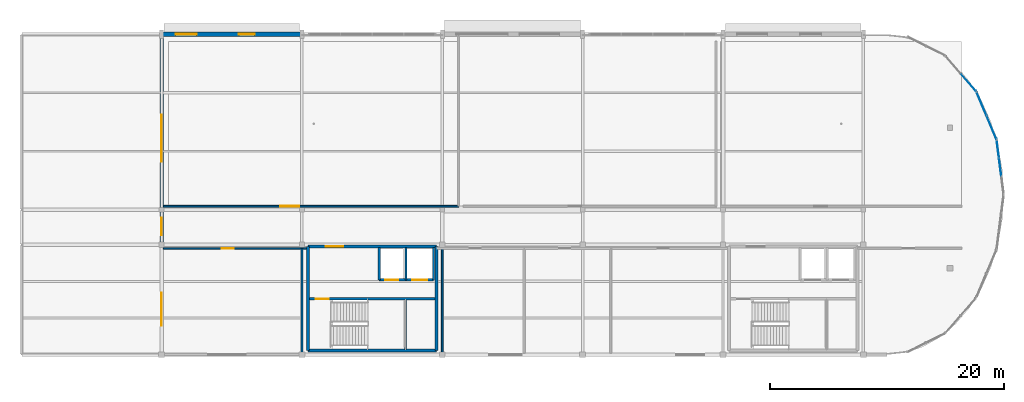
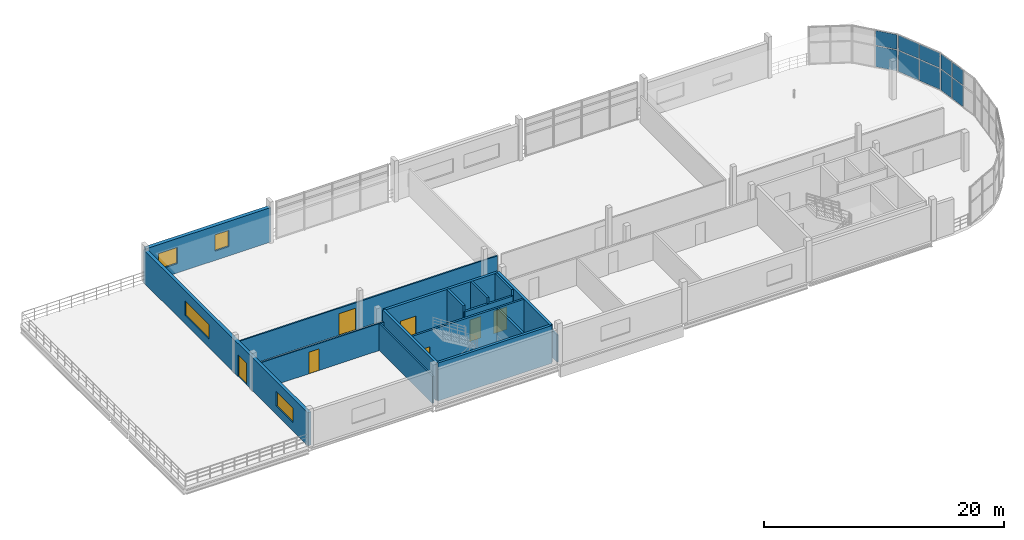
# One storey, part 7 of 13: 16 walls, 10 plates, 7 doors, 4 windows, 11 openings, 3 elements without a shape of their own.
"""IFC4 building model written with IfcOpenShell, lengths in metres."""

from ifc_helpers import new_model, si_unit, direction, frame, frame_2d, origin, origin_2d, place, context, subcontext, project, spatial, rectangle, extrude, material, layer, layer_set, type_object, element, fill, aggregate, save


model = new_model("IFC4")

# Units and contexts
model_context = context("Model", 3, precision=1e-05, world=origin(), true_north=direction((0.0, 1.0)))
body_context = subcontext(model_context, "Body", "Model", "MODEL_VIEW")
ifc_project = project(units=[si_unit("LENGTHUNIT", "METRE"), si_unit("AREAUNIT", "SQUARE_METRE"), si_unit("VOLUMEUNIT", "CUBIC_METRE"), si_unit("PLANEANGLEUNIT", "RADIAN"), si_unit("MASSUNIT", "GRAM", prefix="KILO"), si_unit("THERMODYNAMICTEMPERATUREUNIT", "KELVIN"), si_unit("POWERUNIT", "WATT")], contexts=[model_context])

# Site, building, storey
site_placement = place(None, origin())
site = spatial("IfcSite", under=ifc_project, at=site_placement, CompositionType="ELEMENT")
building_placement = place(site_placement, origin())
building = spatial("IfcBuilding", under=site, at=building_placement, Name="Solmara Park Aquatics Centre", CompositionType="ELEMENT")
storey_placement = place(building_placement, frame((0.0, 0.0, 14.39990234375)))
storey = spatial("IfcBuildingStorey", under=building, at=storey_placement, Name="L03", CompositionType="ELEMENT", Elevation=14.39990234375)

# Curtain wall, plates
ifc_material_1 = material(Name="Anodised Aluminium Curtain Wall Framing", Category="aluminium")
curtain_wall_type = type_object("IfcCurtainWallType", Name="ARC-CW-SYS06", PredefinedType="USERDEFINED", material=ifc_material_1)
curtain_wall_1_placement = place(storey_placement, origin())
curtain_wall_1 = element("IfcCurtainWall", 1, at=curtain_wall_1_placement, inside=storey, type_object=curtain_wall_type, Name="Curtain Wall CW-150", ObjectType="CURTAIN WALL", PredefinedType="USERDEFINED")
ifc_material_2 = material(Name="Acoustic Laminated Glazing", Category="glass")
ifc_layer_1 = layer(ifc_material_2, 0.028076171875, Name="Acoustic Laminated Glazing")
ifc_layer_set_1 = layer_set([ifc_layer_1], Name="Acoustic Laminated Glazing")
plate_type_1 = type_object("IfcPlateType", Name="ARC-CWP-GLZ28-1460x1500", PredefinedType="CURTAIN_PANEL", material=ifc_layer_set_1)
plate_1_placement = place(storey_placement, frame((108.301025390625, 124.623046875, 2.27880859375), z_axis=(0.0, 0.0, 1.0), x_axis=(-0.127658381355, 0.991818197892, 0.0)))
plate_1 = element("IfcPlate", 2, at=plate_1_placement, type_object=plate_type_1, Name="CW-150 panel 4", PredefinedType="CURTAIN_PANEL", context=body_context, shape_type="SweptSolid", body=[
    extrude(rectangle(XDim=1.468017578125, YDim=0.028076171875, at=origin_2d()), origin(), (0.0, 0.0, 1.0), 1.501220703125),
])
plate_2_placement = place(storey_placement, frame((108.103515625, 126.158447265625, 2.27880859375), z_axis=(0.0, 0.0, 1.0), x_axis=(-0.127658381355, 0.991818197892, 0.0)))
plate_2 = element("IfcPlate", 3, at=plate_2_placement, type_object=plate_type_1, Name="CW-150 panel 6", PredefinedType="CURTAIN_PANEL", context=body_context, shape_type="SweptSolid", body=[
    extrude(rectangle(XDim=1.468017578125, YDim=0.028076171875, at=origin_2d()), origin(), (0.0, 0.0, 1.0), 1.501220703125),
])
ifc_layer_2 = layer(ifc_material_2, 0.028076171875, Name="Acoustic Laminated Glazing")
ifc_layer_set_2 = layer_set([ifc_layer_2], Name="Acoustic Laminated Glazing")
plate_type_2 = type_object("IfcPlateType", Name="ARC-CWP-GLZ28-1460x2120", PredefinedType="CURTAIN_PANEL", material=ifc_layer_set_2)
plate_3_placement = place(storey_placement, frame((108.301025390625, 124.623046875, 0.080078125), z_axis=(0.0, 0.0, 1.0), x_axis=(-0.127658381355, 0.991818197892, 0.0)))
plate_3 = element("IfcPlate", 4, at=plate_3_placement, type_object=plate_type_2, Name="CW-150 panel 3", PredefinedType="CURTAIN_PANEL", context=body_context, shape_type="SweptSolid", body=[
    extrude(rectangle(XDim=1.468017578125, YDim=0.028076171875, at=origin_2d()), origin(), (0.0, 0.0, 1.0), 2.118896484375),
])
plate_4_placement = place(storey_placement, frame((108.103515625, 126.158447265625, 0.080078125), z_axis=(0.0, 0.0, 1.0), x_axis=(-0.127658381355, 0.991818197892, 0.0)))
plate_4 = element("IfcPlate", 5, at=plate_4_placement, type_object=plate_type_2, Name="CW-150 panel 5", PredefinedType="CURTAIN_PANEL", context=body_context, shape_type="SweptSolid", body=[
    extrude(rectangle(XDim=1.468017578125, YDim=0.028076171875, at=origin_2d()), origin(), (0.0, 0.0, 1.0), 2.118896484375),
])
aggregate(curtain_wall_1, [plate_3, plate_1, plate_4, plate_2])

curtain_wall_2_placement = place(storey_placement, origin())
curtain_wall_2 = element("IfcCurtainWall", 6, at=curtain_wall_2_placement, inside=storey, type_object=curtain_wall_type, Name="Curtain Wall CW-152", ObjectType="CURTAIN WALL", PredefinedType="USERDEFINED")
ifc_layer_3 = layer(ifc_material_2, 0.028076171875, Name="Acoustic Laminated Glazing")
ifc_layer_set_3 = layer_set([ifc_layer_3], Name="Acoustic Laminated Glazing")
plate_type_3 = type_object("IfcPlateType", Name="ARC-CWP-GLZ28-1900x1500", PredefinedType="CURTAIN_PANEL", material=ifc_layer_set_3)
plate_5_placement = place(storey_placement, frame((105.59521484375, 131.870849609375, 2.27880859375), z_axis=(0.0, 0.0, 1.0), x_axis=(-0.656319798719, 0.754482817438, 0.0)))
plate_5 = element("IfcPlate", 7, at=plate_5_placement, type_object=plate_type_3, Name="CW-152 panel 2", PredefinedType="CURTAIN_PANEL", context=body_context, shape_type="SweptSolid", body=[
    extrude(rectangle(XDim=1.90673828125, YDim=0.028076171875, at=origin_2d()), origin(), (0.0, 0.0, 1.0), 1.501220703125),
])
ifc_layer_4 = layer(ifc_material_2, 0.028076171875, Name="Acoustic Laminated Glazing")
ifc_layer_set_4 = layer_set([ifc_layer_4], Name="Acoustic Laminated Glazing")
plate_type_4 = type_object("IfcPlateType", Name="ARC-CWP-GLZ28-1900x2120", PredefinedType="CURTAIN_PANEL", material=ifc_layer_set_4)
plate_6_placement = place(storey_placement, frame((105.59521484375, 131.870849609375, 0.080078125), z_axis=(0.0, 0.0, 1.0), x_axis=(-0.656319798719, 0.754482817438, 0.0)))
plate_6 = element("IfcPlate", 8, at=plate_6_placement, type_object=plate_type_4, Name="CW-152 panel 1", PredefinedType="CURTAIN_PANEL", context=body_context, shape_type="SweptSolid", body=[
    extrude(rectangle(XDim=1.90673828125, YDim=0.028076171875, at=origin_2d()), origin(), (0.0, 0.0, 1.0), 2.118896484375),
])
aggregate(curtain_wall_2, [plate_6, plate_5])

curtain_wall_3_placement = place(storey_placement, origin())
curtain_wall_3 = element("IfcCurtainWall", 9, at=curtain_wall_3_placement, inside=storey, type_object=curtain_wall_type, Name="Curtain Wall CW-151", ObjectType="CURTAIN WALL", PredefinedType="USERDEFINED")
ifc_layer_5 = layer(ifc_material_2, 0.028076171875, Name="Acoustic Laminated Glazing")
ifc_layer_set_5 = layer_set([ifc_layer_5], Name="Acoustic Laminated Glazing")
plate_type_5 = type_object("IfcPlateType", Name="ARC-CWP-GLZ28-2120x1500", PredefinedType="CURTAIN_PANEL", material=ifc_layer_set_5)
plate_7_placement = place(storey_placement, frame((107.562744140625, 128.015869140625, 2.27880859375), z_axis=(0.0, 0.0, 1.0), x_axis=(-0.388352083199, 0.921511073984, 0.0)))
plate_7 = element("IfcPlate", 10, at=plate_7_placement, type_object=plate_type_5, Name="CW-151 panel 2", PredefinedType="CURTAIN_PANEL", context=body_context, shape_type="SweptSolid", body=[
    extrude(rectangle(XDim=2.11572265625, YDim=0.028076171875, at=origin_2d()), origin(), (0.0, 0.0, 1.0), 1.501220703125),
])
plate_8_placement = place(storey_placement, frame((106.7099609375, 130.039306640625, 2.27880859375), z_axis=(0.0, 0.0, 1.0), x_axis=(-0.388352083199, 0.921511073984, 0.0)))
plate_8 = element("IfcPlate", 11, at=plate_8_placement, type_object=plate_type_5, Name="CW-151 panel 4", PredefinedType="CURTAIN_PANEL", context=body_context, shape_type="SweptSolid", body=[
    extrude(rectangle(XDim=2.11572265625, YDim=0.028076171875, at=origin_2d()), origin(), (0.0, 0.0, 1.0), 1.501220703125),
])
ifc_layer_6 = layer(ifc_material_2, 0.028076171875, Name="Acoustic Laminated Glazing")
ifc_layer_set_6 = layer_set([ifc_layer_6], Name="Acoustic Laminated Glazing")
plate_type_6 = type_object("IfcPlateType", Name="ARC-CWP-GLZ28-2120x2120", PredefinedType="CURTAIN_PANEL", material=ifc_layer_set_6)
plate_9_placement = place(storey_placement, frame((107.562744140625, 128.015869140625, 0.080078125), z_axis=(0.0, 0.0, 1.0), x_axis=(-0.388352083199, 0.921511073984, 0.0)))
plate_9 = element("IfcPlate", 12, at=plate_9_placement, type_object=plate_type_6, Name="CW-151 panel 1", PredefinedType="CURTAIN_PANEL", context=body_context, shape_type="SweptSolid", body=[
    extrude(rectangle(XDim=2.11572265625, YDim=0.028076171875, at=origin_2d()), origin(), (0.0, 0.0, 1.0), 2.118896484375),
])
plate_10_placement = place(storey_placement, frame((106.7099609375, 130.039306640625, 0.080078125), z_axis=(0.0, 0.0, 1.0), x_axis=(-0.388352083199, 0.921511073984, 0.0)))
plate_10 = element("IfcPlate", 13, at=plate_10_placement, type_object=plate_type_6, Name="CW-151 panel 3", PredefinedType="CURTAIN_PANEL", context=body_context, shape_type="SweptSolid", body=[
    extrude(rectangle(XDim=2.11572265625, YDim=0.028076171875, at=origin_2d()), origin(), (0.0, 0.0, 1.0), 2.118896484375),
])
aggregate(curtain_wall_3, [plate_9, plate_7, plate_10, plate_8])

# Wall, opening, door
ifc_material_3 = material(Name="Double-Stud Acoustic Gypsum Partition", Category="gypsum")
ifc_layer_7 = layer(ifc_material_3, 0.139892578125, Name="Double-Stud Acoustic Gypsum Partition")
ifc_layer_set_7 = layer_set([ifc_layer_7], Name="Double-Stud Acoustic Gypsum Partition")
wall_type_1 = type_object("IfcWallType", Name="ARC-WL-ACU140", PredefinedType="PARTITIONING", material=ifc_layer_set_7)
wall_1_placement = place(storey_placement, frame((36.75, 121.300048828125, 0.0), z_axis=(0.0, 0.0, 1.0), x_axis=(1.0, 0.0, 0.0)))
wall_1 = element("IfcWall", 14, at=wall_1_placement, inside=storey, type_object=wall_type_1, Name="Interior Partition IW-L03-0127 (L03-SEM-01)", PredefinedType="PARTITIONING", context=body_context, shape_type="SweptSolid", body=[
    extrude(rectangle(XDim=25.25, YDim=0.139892578125, at=frame_2d((12.625, 0.0))), origin(), (0.0, 0.0, 1.0), 2.75),
])
opening_1_placement = place(wall_1_placement, frame((10.0, 0.0, 0.0)))
opening_1 = element("IfcOpeningElement", 15, at=opening_1_placement, cuts=wall_1, Name="Opening D-19", PredefinedType="OPENING", context=body_context, shape_type="SweptSolid", body=[
    extrude(rectangle(XDim=1.60009765625, YDim=2.199951171875, at=frame_2d((0.800048828125, 1.10009765625))), frame((0.0, 0.079833984375, 0.0), z_axis=(0.0, -1.0, 0.0), x_axis=(1.0, 0.0, 0.0)), (0.0, 0.0, 1.0), 0.159912109375),
])
ifc_material_4 = material(Name="Moisture-Resistant HPL & Hardwood", Category="wood")
door_type_1 = type_object("IfcDoorType", Name="ARC-DR-DBL160x220", OperationType="DOUBLE_DOOR_SINGLE_SWING", PredefinedType="DOOR", material=ifc_material_4)
door_1_placement = place(opening_1_placement, origin())
door_1 = element("IfcDoor", 16, at=door_1_placement, inside=storey, type_object=door_type_1, Name="International Coaching Symposium Lecture Room Door", OperationType="DOUBLE_DOOR_SINGLE_SWING", OverallHeight=2.199951171875, OverallWidth=1.60009765625, PredefinedType="DOOR", context=body_context, shape_type="SweptSolid", body=[
    extrude(rectangle(XDim=1.60009765625, YDim=2.199951171875, at=frame_2d((0.800048828125, 1.10009765625))), frame((0.0, 0.02490234375, 0.0), z_axis=(0.0, -1.0, 0.0), x_axis=(1.0, 0.0, 0.0)), (0.0, 0.0, 1.0), 0.050048828125),
])
fill(opening_1, door_1)

# Wall
wall_2_placement = place(storey_placement, frame((48.60009765625, 108.75, 0.0), z_axis=(0.0, 0.0, 1.0), x_axis=(0.0, 1.0, 0.0)))
element("IfcWall", 17, at=wall_2_placement, inside=storey, type_object=wall_type_1, Name="Interior Partition IW-L03-0132 (L03-ARC-01)", PredefinedType="PARTITIONING", context=body_context, shape_type="SweptSolid", body=[
    extrude(rectangle(XDim=8.949951171875, YDim=0.139892578125, at=frame_2d((4.47509765625, 0.0))), origin(), (0.0, 0.0, 1.0), 2.75),
])

# Wall, opening, door
wall_3_placement = place(storey_placement, frame((36.75, 117.699951171875, 0.0), z_axis=(0.0, 0.0, 1.0), x_axis=(1.0, 0.0, 0.0)))
wall_3 = element("IfcWall", 18, at=wall_3_placement, inside=storey, type_object=wall_type_1, Name="Interior Partition IW-L03-0133 (L03-ARC-01)", PredefinedType="PARTITIONING", context=body_context, shape_type="SweptSolid", body=[
    extrude(rectangle(XDim=12.22509765625, YDim=0.139892578125, at=frame_2d((6.112548828125, 0.0))), origin(), (0.0, 0.0, 1.0), 2.75),
])
opening_2_placement = place(wall_3_placement, frame((5.0, 0.0, 0.0)))
opening_2 = element("IfcOpeningElement", 19, at=opening_2_placement, cuts=wall_3, Name="Opening D-16", PredefinedType="OPENING", context=body_context, shape_type="SweptSolid", body=[
    extrude(rectangle(XDim=1.0, YDim=2.199951171875, at=frame_2d((0.5, 1.10009765625))), frame((0.0, 0.079833984375, 0.0), z_axis=(0.0, -1.0, 0.0), x_axis=(1.0, 0.0, 0.0)), (0.0, 0.0, 1.0), 0.159912109375),
])
door_type_2 = type_object("IfcDoorType", Name="ARC-DR-SGL100x220", OperationType="NOTDEFINED", PredefinedType="DOOR", material=ifc_material_4)
door_2_placement = place(opening_2_placement, origin())
door_2 = element("IfcDoor", 20, at=door_2_placement, inside=storey, type_object=door_type_2, Name="Event Video Analysis and Championships Archive Library Door", OperationType="SINGLE_SWING_LEFT", OverallHeight=2.199951171875, OverallWidth=1.0, PredefinedType="DOOR", context=body_context, shape_type="SweptSolid", body=[
    extrude(rectangle(XDim=1.0, YDim=2.199951171875, at=frame_2d((0.5, 1.10009765625))), frame((0.0, 0.02490234375, 0.0), z_axis=(0.0, -1.0, 0.0), x_axis=(1.0, 0.0, 0.0)), (0.0, 0.0, 1.0), 0.050048828125),
])
fill(opening_2, door_2)

# Wall
ifc_material_5 = material(Name="Concrete C40/50", Category="concrete")
ifc_layer_8 = layer(ifc_material_5, 0.25, Name="Concrete C40/50")
ifc_layer_set_8 = layer_set([ifc_layer_8], Name="Concrete C40/50")
wall_type_2 = type_object("IfcWallType", Name="ARC-WL-CORE250", PredefinedType="SHEAR", material=ifc_layer_set_8)
wall_4_placement = place(storey_placement, frame((49.10009765625, 108.949951171875, 0.0), z_axis=(0.0, 0.0, 1.0), x_axis=(1.0, 0.0, 0.0)))
element("IfcWall", 21, at=wall_4_placement, inside=storey, type_object=wall_type_2, Name="CORE-1 Core Wall S L03", PredefinedType="SHEAR", context=body_context, shape_type="SweptSolid", body=[
    extrude(rectangle(XDim=11.0, YDim=0.25, at=frame_2d((5.5, 0.0))), origin(), (0.0, 0.0, 1.0), 3.860107421875),
])

# Wall, opening, door
wall_5_placement = place(storey_placement, frame((49.10009765625, 117.85009765625, 0.0), z_axis=(0.0, 0.0, 1.0), x_axis=(1.0, 0.0, 0.0)))
wall_5 = element("IfcWall", 22, at=wall_5_placement, inside=storey, type_object=wall_type_2, Name="CORE-1 Core Wall N L03", PredefinedType="SHEAR", context=body_context, shape_type="SweptSolid", body=[
    extrude(rectangle(XDim=11.0, YDim=0.25, at=frame_2d((5.5, 0.0))), origin(), (0.0, 0.0, 1.0), 3.860107421875),
])
opening_3_placement = place(wall_5_placement, frame((1.550048828125, 0.0, 0.0)))
opening_3 = element("IfcOpeningElement", 23, at=opening_3_placement, cuts=wall_5, Name="Opening D-12", PredefinedType="OPENING", context=body_context, shape_type="SweptSolid", body=[
    extrude(rectangle(XDim=1.5, YDim=2.199951171875, at=frame_2d((0.75, 1.10009765625))), frame((0.0, 0.135009765625, 0.0), z_axis=(0.0, -1.0, 0.0), x_axis=(1.0, 0.0, 0.0)), (0.0, 0.0, 1.0), 0.27001953125),
])
door_type_3 = type_object("IfcDoorType", Name="ARC-DR-FD150x220", OperationType="DOUBLE_DOOR_SINGLE_SWING", PredefinedType="DOOR", material=ifc_material_4)
door_3_placement = place(opening_3_placement, origin())
door_3 = element("IfcDoor", 24, at=door_3_placement, inside=storey, type_object=door_type_3, Name="CORE-1 Lobby Entry Fire Door L03", OperationType="DOUBLE_DOOR_SINGLE_SWING", OverallHeight=2.199951171875, OverallWidth=1.5, PredefinedType="DOOR", context=body_context, shape_type="SweptSolid", body=[
    extrude(rectangle(XDim=1.5, YDim=2.199951171875, at=frame_2d((0.75, 1.10009765625))), frame((0.0, 0.02490234375, 0.0), z_axis=(0.0, -1.0, 0.0), x_axis=(1.0, 0.0, 0.0)), (0.0, 0.0, 1.0), 0.050048828125),
])
fill(opening_3, door_3)

# Walls
for number, where, z_axis, x_axis, name in (
    (25, (49.10009765625, 108.949951171875, 0.0), (0.0, 0.0, 1.0), (0.0, 1.0, 0.0), "CORE-1 Core Wall W L03"),
    (26, (60.10009765625, 108.949951171875, 0.0), (0.0, 0.0, 1.0), (0.0, 1.0, 0.0), "CORE-1 Core Wall E L03"),
):
    element("IfcWall", number, at=place(storey_placement, frame(where, z_axis=z_axis, x_axis=x_axis)), inside=storey, type_object=wall_type_2, Name=name, PredefinedType="SHEAR", context=body_context, shape_type="SweptSolid", body=[
        extrude(rectangle(XDim=8.900146484375, YDim=0.25, at=frame_2d((4.4501953125, 0.0))), origin(), (0.0, 0.0, 1.0), 3.860107421875),
    ])

# Wall, openings, door, windows
ifc_material_6 = material(Name="Insulated Limestone Render Wall", Category="masonry")
ifc_layer_9 = layer(ifc_material_6, 0.300048828125, Name="Insulated Limestone Render Wall")
ifc_layer_set_9 = layer_set([ifc_layer_9], Name="Insulated Limestone Render Wall")
wall_type_3 = type_object("IfcWallType", Name="ARC-WL-EXT300", PredefinedType="SOLIDWALL", material=ifc_layer_set_9)
wall_6_placement = place(storey_placement, frame((36.60009765625, 108.60009765625, 0.0), z_axis=(0.0, 0.0, 1.0), x_axis=(0.0, 1.0, 0.0)))
wall_6 = element("IfcWall", 27, at=wall_6_placement, inside=storey, type_object=wall_type_3, Name="Exterior Facade Wall EW-L03-039", PredefinedType="SOLIDWALL", context=body_context, shape_type="SweptSolid", body=[
    extrude(rectangle(XDim=27.39990234375, YDim=0.300048828125, at=frame_2d((13.699951171875, 0.0))), origin(), (0.0, 0.0, 1.0), 3.360107421875),
])
opening_4_placement = place(wall_6_placement, frame((10.199951171875, 0.0, 0.0)))
opening_4 = element("IfcOpeningElement", 28, at=opening_4_placement, cuts=wall_6, Name="Opening D-06", PredefinedType="OPENING", context=body_context, shape_type="SweptSolid", body=[
    extrude(rectangle(XDim=1.5, YDim=2.199951171875, at=frame_2d((0.75, 1.10009765625))), frame((0.0, 0.159912109375, 0.0), z_axis=(0.0, -1.0, 0.0), x_axis=(1.0, 0.0, 0.0)), (0.0, 0.0, 1.0), 0.320068359375),
])
opening_5_placement = place(wall_6_placement, frame((2.5, 0.0, 0.85009765625)))
opening_5 = element("IfcOpeningElement", 29, at=opening_5_placement, cuts=wall_6, Name="Opening W-15", PredefinedType="OPENING", context=body_context, shape_type="SweptSolid", body=[
    extrude(rectangle(XDim=2.800048828125, YDim=1.5, at=frame_2d((1.39990234375, 0.75))), frame((0.0, 0.159912109375, 0.0), z_axis=(0.0, -1.0, 0.0), x_axis=(1.0, 0.0, 0.0)), (0.0, 0.0, 1.0), 0.320068359375),
])
opening_6_placement = place(wall_6_placement, frame((16.5, 0.0, 0.85009765625)))
opening_6 = element("IfcOpeningElement", 30, at=opening_6_placement, cuts=wall_6, Name="Opening W-12", PredefinedType="OPENING", context=body_context, shape_type="SweptSolid", body=[
    extrude(rectangle(XDim=4.0, YDim=1.5, at=frame_2d((2.0, 0.75))), frame((0.0, 0.159912109375, 0.0), z_axis=(0.0, -1.0, 0.0), x_axis=(1.0, 0.0, 0.0)), (0.0, 0.0, 1.0), 0.320068359375),
])
ifc_material_7 = material(Name="Thermally Broken Powder-Coated Aluminium and Laminated Glass", Category="aluminium")
door_type_4 = type_object("IfcDoorType", Name="ARC-DR-TER150x220", OperationType="DOUBLE_DOOR_SINGLE_SWING", PredefinedType="DOOR", material=ifc_material_7)
door_4_placement = place(opening_4_placement, origin())
door_4 = element("IfcDoor", 31, at=door_4_placement, inside=storey, type_object=door_type_4, Name="L03 West Belvedere Terrace Door (EX-19)", OperationType="DOUBLE_DOOR_SINGLE_SWING", OverallHeight=2.199951171875, OverallWidth=1.5, PredefinedType="DOOR", context=body_context, shape_type="SweptSolid", body=[
    extrude(rectangle(XDim=1.5, YDim=2.199951171875, at=frame_2d((0.75, 1.10009765625))), frame((0.0, 0.02490234375, 0.0), z_axis=(0.0, -1.0, 0.0), x_axis=(1.0, 0.0, 0.0)), (0.0, 0.0, 1.0), 0.050048828125),
])
fill(opening_4, door_4)
ifc_material_8 = material(Name="Thermally Broken Aluminium and Low-E Double Glazing", Category="aluminium")
window_type_1 = type_object("IfcWindowType", Name="ARC-WN-280x150", PartitioningType="DOUBLE_PANEL_HORIZONTAL", PredefinedType="WINDOW", material=ifc_material_8)
window_1_placement = place(opening_5_placement, origin())
window_1 = element("IfcWindow", 32, at=window_1_placement, inside=storey, type_object=window_type_1, Name="Ribbon Window WN-095", OverallHeight=1.5, OverallWidth=2.800048828125, PartitioningType="DOUBLE_PANEL_HORIZONTAL", PredefinedType="WINDOW", context=body_context, shape_type="SweptSolid", body=[
    extrude(rectangle(XDim=2.800048828125, YDim=1.5, at=frame_2d((1.39990234375, 0.75))), frame((0.0, 0.030029296875, 0.0), z_axis=(0.0, -1.0, 0.0), x_axis=(1.0, 0.0, 0.0)), (0.0, 0.0, 1.0), 0.06005859375),
])
fill(opening_5, window_1)
window_type_2 = type_object("IfcWindowType", Name="ARC-WN-400x150", PartitioningType="TRIPLE_PANEL_HORIZONTAL", PredefinedType="WINDOW", material=ifc_material_8)
window_2_placement = place(opening_6_placement, origin())
window_2 = element("IfcWindow", 33, at=window_2_placement, inside=storey, type_object=window_type_2, Name="Ribbon Window WN-096", OverallHeight=1.5, OverallWidth=4.0, PartitioningType="TRIPLE_PANEL_HORIZONTAL", PredefinedType="WINDOW", context=body_context, shape_type="SweptSolid", body=[
    extrude(rectangle(XDim=4.0, YDim=1.5, at=frame_2d((2.0, 0.75))), frame((0.0, 0.030029296875, 0.0), z_axis=(0.0, -1.0, 0.0), x_axis=(1.0, 0.0, 0.0)), (0.0, 0.0, 1.0), 0.06005859375),
])
fill(opening_6, window_2)

# Wall, openings, windows
ifc_layer_10 = layer(ifc_material_6, 0.35009765625, Name="Insulated Limestone Render Wall")
ifc_layer_set_10 = layer_set([ifc_layer_10], Name="Insulated Limestone Render Wall")
wall_type_4 = type_object("IfcWallType", Name="ARC-WL-EXT350", PredefinedType="SOLIDWALL", material=ifc_layer_set_10)
wall_7_placement = place(storey_placement, frame((36.60009765625, 136.0, 0.0), z_axis=(0.0, 0.0, 1.0), x_axis=(1.0, 0.0, 0.0)))
wall_7 = element("IfcWall", 34, at=wall_7_placement, inside=storey, type_object=wall_type_4, Name="Exterior Facade Wall EW-L03-035", PredefinedType="SOLIDWALL", context=body_context, shape_type="SweptSolid", body=[
    extrude(rectangle(XDim=12.0, YDim=0.35009765625, at=frame_2d((6.0, 0.0))), origin(), (0.0, 0.0, 1.0), 3.510009765625),
])
opening_7_placement = place(wall_7_placement, frame((1.199951171875, 0.0, 0.949951171875)))
opening_7 = element("IfcOpeningElement", 35, at=opening_7_placement, cuts=wall_7, Name="Opening W-25", PredefinedType="OPENING", context=body_context, shape_type="SweptSolid", body=[
    extrude(rectangle(XDim=1.800048828125, YDim=1.64990234375, at=frame_2d((0.89990234375, 0.824951171875))), frame((0.0, 0.18505859375, 0.0), z_axis=(0.0, -1.0, 0.0), x_axis=(1.0, 0.0, 0.0)), (0.0, 0.0, 1.0), 0.3701171875),
])
opening_8_placement = place(wall_7_placement, frame((6.60009765625, 0.0, 0.949951171875)))
opening_8 = element("IfcOpeningElement", 36, at=opening_8_placement, cuts=wall_7, Name="Opening W-26", PredefinedType="OPENING", context=body_context, shape_type="SweptSolid", body=[
    extrude(rectangle(XDim=1.35009765625, YDim=1.64990234375, at=frame_2d((0.675048828125, 0.824951171875))), frame((0.0, 0.18505859375, 0.0), z_axis=(0.0, -1.0, 0.0), x_axis=(1.0, 0.0, 0.0)), (0.0, 0.0, 1.0), 0.3701171875),
])
window_type_3 = type_object("IfcWindowType", Name="ARC-WN-135x165", PartitioningType="SINGLE_PANEL", PredefinedType="WINDOW", material=ifc_material_8)
window_3_placement = place(opening_8_placement, origin())
window_3 = element("IfcWindow", 37, at=window_3_placement, inside=storey, type_object=window_type_3, Name="Ribbon Window WN-087", OverallHeight=1.64990234375, OverallWidth=1.35009765625, PartitioningType="SINGLE_PANEL", PredefinedType="WINDOW", context=body_context, shape_type="SweptSolid", body=[
    extrude(rectangle(XDim=1.35009765625, YDim=1.64990234375, at=frame_2d((0.675048828125, 0.824951171875))), frame((0.0, 0.030029296875, 0.0), z_axis=(0.0, -1.0, 0.0), x_axis=(1.0, 0.0, 0.0)), (0.0, 0.0, 1.0), 0.06005859375),
])
fill(opening_8, window_3)
window_type_4 = type_object("IfcWindowType", Name="ARC-WN-180x165", PartitioningType="SINGLE_PANEL", PredefinedType="WINDOW", material=ifc_material_8)
window_4_placement = place(opening_7_placement, origin())
window_4 = element("IfcWindow", 38, at=window_4_placement, inside=storey, type_object=window_type_4, Name="Ribbon Window WN-086", OverallHeight=1.64990234375, OverallWidth=1.800048828125, PartitioningType="SINGLE_PANEL", PredefinedType="WINDOW", context=body_context, shape_type="SweptSolid", body=[
    extrude(rectangle(XDim=1.800048828125, YDim=1.64990234375, at=frame_2d((0.89990234375, 0.824951171875))), frame((0.0, 0.030029296875, 0.0), z_axis=(0.0, -1.0, 0.0), x_axis=(1.0, 0.0, 0.0)), (0.0, 0.0, 1.0), 0.06005859375),
])
fill(opening_7, window_4)

# Wall, openings, doors
ifc_material_9 = material(Name="Concrete C25/30 Autoclaved Aerated Fire Blockwork", Category="masonry")
ifc_layer_11 = layer(ifc_material_9, 0.199951171875, Name="Concrete C25/30 Autoclaved Aerated Fire Blockwork")
ifc_layer_set_11 = layer_set([ifc_layer_11], Name="Concrete C25/30 Autoclaved Aerated Fire Blockwork")
wall_type_5 = type_object("IfcWallType", Name="ARC-WL-FIRE200", PredefinedType="SOLIDWALL", material=ifc_layer_set_11)
wall_8_placement = place(storey_placement, frame((55.199951171875, 115.0, 0.0), z_axis=(0.0, 0.0, 1.0), x_axis=(1.0, 0.0, 0.0)))
wall_8 = element("IfcWall", 39, at=wall_8_placement, inside=storey, type_object=wall_type_5, Name="CORE-1 Lift Shaft Front Wall L03", PredefinedType="SOLIDWALL", context=body_context, shape_type="SweptSolid", body=[
    extrude(rectangle(XDim=4.650146484375, YDim=0.199951171875, at=frame_2d((2.3251953125, 0.0))), origin(), (0.0, 0.0, 1.0), 3.260009765625),
])
opening_9_placement = place(wall_8_placement, frame((2.824951171875, 0.0, 0.0)))
opening_9 = element("IfcOpeningElement", 40, at=opening_9_placement, cuts=wall_8, Name="Opening D-10", PredefinedType="OPENING", context=body_context, shape_type="SweptSolid", body=[
    extrude(rectangle(XDim=1.300048828125, YDim=2.300048828125, at=frame_2d((0.64990234375, 1.14990234375))), frame((0.0, 0.10986328125, 0.0), z_axis=(0.0, -1.0, 0.0), x_axis=(1.0, 0.0, 0.0)), (0.0, 0.0, 1.0), 0.219970703125),
])
opening_10_placement = place(wall_8_placement, frame((0.52490234375, 0.0, 0.0)))
opening_10 = element("IfcOpeningElement", 41, at=opening_10_placement, cuts=wall_8, Name="Opening D-09", PredefinedType="OPENING", context=body_context, shape_type="SweptSolid", body=[
    extrude(rectangle(XDim=1.10009765625, YDim=2.199951171875, at=frame_2d((0.550048828125, 1.10009765625))), frame((0.0, 0.10986328125, 0.0), z_axis=(0.0, -1.0, 0.0), x_axis=(1.0, 0.0, 0.0)), (0.0, 0.0, 1.0), 0.219970703125),
])
ifc_material_10 = material(Name="Stainless Steel", Category="steel")
door_type_5 = type_object("IfcDoorType", Name="ARC-DR-LD110x220", OperationType="DOUBLE_DOOR_SLIDING", PredefinedType="DOOR", material=ifc_material_10)
door_5_placement = place(opening_10_placement, frame((1.10009765625, 0.0, 0.0), z_axis=(0.0, 0.0, 1.0), x_axis=(-1.0, 0.0, 0.0)))
door_5 = element("IfcDoor", 42, at=door_5_placement, inside=storey, type_object=door_type_5, Name="LF-02 Lift Landing Door L03", OperationType="DOUBLE_DOOR_SLIDING", OverallHeight=2.199951171875, OverallWidth=1.10009765625, PredefinedType="DOOR", context=body_context, shape_type="SweptSolid", body=[
    extrude(rectangle(XDim=1.10009765625, YDim=2.199951171875, at=frame_2d((0.550048828125, 1.10009765625))), frame((0.0, 0.02490234375, 0.0), z_axis=(0.0, -1.0, 0.0), x_axis=(1.0, 0.0, 0.0)), (0.0, 0.0, 1.0), 0.050048828125),
])
fill(opening_10, door_5)
door_type_6 = type_object("IfcDoorType", Name="ARC-DR-LD130x230", OperationType="DOUBLE_DOOR_SLIDING", PredefinedType="DOOR", material=ifc_material_10)
door_6_placement = place(opening_9_placement, frame((1.300048828125, 0.0, 0.0), z_axis=(0.0, 0.0, 1.0), x_axis=(-1.0, 0.0, 0.0)))
door_6 = element("IfcDoor", 43, at=door_6_placement, inside=storey, type_object=door_type_6, Name="LF-01 Lift Landing Door L03", OperationType="DOUBLE_DOOR_SLIDING", OverallHeight=2.300048828125, OverallWidth=1.300048828125, PredefinedType="DOOR", context=body_context, shape_type="SweptSolid", body=[
    extrude(rectangle(XDim=1.300048828125, YDim=2.300048828125, at=frame_2d((0.64990234375, 1.14990234375))), frame((0.0, 0.02490234375, 0.0), z_axis=(0.0, -1.0, 0.0), x_axis=(1.0, 0.0, 0.0)), (0.0, 0.0, 1.0), 0.050048828125),
])
fill(opening_9, door_6)

# Walls
for number, where, z_axis, x_axis, name in (
    (44, (57.5, 115.0, 0.0), (0.0, 0.0, 1.0), (0.0, 1.0, 0.0), "LF-01 Lift Shaft W Wall L03"),
    (45, (59.85009765625, 115.0, 0.0), (0.0, 0.0, 1.0), (0.0, 1.0, 0.0), "LF-01 Lift Shaft E Wall L03"),
    (46, (55.199951171875, 115.0, 0.0), (0.0, 0.0, 1.0), (0.0, 1.0, 0.0), "LF-02 Lift Shaft W Wall L03"),
):
    element("IfcWall", number, at=place(storey_placement, frame(where, z_axis=z_axis, x_axis=x_axis)), inside=storey, type_object=wall_type_5, Name=name, PredefinedType="SOLIDWALL", context=body_context, shape_type="SweptSolid", body=[
        extrude(rectangle(XDim=2.75, YDim=0.199951171875, at=frame_2d((1.375, 0.0))), origin(), (0.0, 0.0, 1.0), 3.860107421875),
    ])
ifc_material_11 = material(Name="Waterproof Tile-Faced Wet-Area Plumbing Wall", Category="concrete")
ifc_layer_12 = layer(ifc_material_11, 0.159912109375, Name="Waterproof Tile-Faced Wet-Area Plumbing Wall")
ifc_layer_set_12 = layer_set([ifc_layer_12], Name="Waterproof Tile-Faced Wet-Area Plumbing Wall")
wall_type_6 = type_object("IfcWallType", Name="ARC-WL-WET160", PredefinedType="PLUMBINGWALL", material=ifc_layer_set_12)
wall_9_placement = place(storey_placement, frame((60.60009765625, 108.75, 0.0), z_axis=(0.0, 0.0, 1.0), x_axis=(0.0, 1.0, 0.0)))
element("IfcWall", 47, at=wall_9_placement, inside=storey, type_object=wall_type_6, Name="Interior Partition IW-L03-0134 (L03-WCM-01)", PredefinedType="PLUMBINGWALL", context=body_context, shape_type="SweptSolid", body=[
    extrude(rectangle(XDim=8.949951171875, YDim=0.159912109375, at=frame_2d((4.47509765625, 0.0))), origin(), (0.0, 0.0, 1.0), 2.75),
])

# Wall, opening, door
ifc_material_12 = material(Name="Concrete C35/45", Category="concrete")
ifc_layer_13 = layer(ifc_material_12, 0.199951171875, Name="Concrete C35/45")
ifc_layer_set_13 = layer_set([ifc_layer_13], Name="Concrete C35/45")
wall_type_7 = type_object("IfcWallType", Name="STR-WL-STAIR200", PredefinedType="SHEAR", material=ifc_layer_set_13)
wall_10_placement = place(storey_placement, frame((49.219970703125, 113.375, 0.0), z_axis=(0.0, 0.0, 1.0), x_axis=(1.0, 0.0, 0.0)))
wall_10 = element("IfcWall", 48, at=wall_10_placement, inside=storey, type_object=wall_type_7, Name="CORE-1 Stairwell Compartment Wall L03", PredefinedType="SHEAR", context=body_context, shape_type="SweptSolid", body=[
    extrude(rectangle(XDim=10.760009765625, YDim=0.199951171875, at=frame_2d((5.3798828125, 0.0))), origin(), (0.0, 0.0, 1.0), 3.860107421875),
])
opening_11_placement = place(wall_10_placement, frame((0.580078125, 0.0, 0.0)))
opening_11 = element("IfcOpeningElement", 49, at=opening_11_placement, cuts=wall_10, Name="Opening D-11", PredefinedType="OPENING", context=body_context, shape_type="SweptSolid", body=[
    extrude(rectangle(XDim=1.10009765625, YDim=2.199951171875, at=frame_2d((0.550048828125, 1.10009765625))), frame((0.0, 0.10986328125, 0.0), z_axis=(0.0, -1.0, 0.0), x_axis=(1.0, 0.0, 0.0)), (0.0, 0.0, 1.0), 0.219970703125),
])
door_type_7 = type_object("IfcDoorType", Name="ARC-DR-FD110x220", OperationType="NOTDEFINED", PredefinedType="DOOR", material=ifc_material_4)
door_7_placement = place(opening_11_placement, origin())
door_7 = element("IfcDoor", 50, at=door_7_placement, inside=storey, type_object=door_type_7, Name="ST-01 Fire Door L03", OperationType="SINGLE_SWING_LEFT", OverallHeight=2.199951171875, OverallWidth=1.10009765625, PredefinedType="DOOR", context=body_context, shape_type="SweptSolid", body=[
    extrude(rectangle(XDim=1.10009765625, YDim=2.199951171875, at=frame_2d((0.550048828125, 1.10009765625))), frame((0.0, 0.02490234375, 0.0), z_axis=(0.0, -1.0, 0.0), x_axis=(1.0, 0.0, 0.0)), (0.0, 0.0, 1.0), 0.050048828125),
])
fill(opening_11, door_7)

# Wall
wall_11_placement = place(storey_placement, frame((57.4599609375, 109.070068359375, 0.0), z_axis=(0.0, 0.0, 1.0), x_axis=(0.0, 1.0, 0.0)))
element("IfcWall", 51, at=wall_11_placement, inside=storey, type_object=wall_type_7, Name="CORE-1 Stairwell East End Wall L03", PredefinedType="SHEAR", context=body_context, shape_type="SweptSolid", body=[
    extrude(rectangle(XDim=4.204833984375, YDim=0.199951171875, at=frame_2d((2.1025390625, 0.0))), origin(), (0.0, 0.0, 1.0), 3.860107421875),
])

save(model, "model.ifc")
